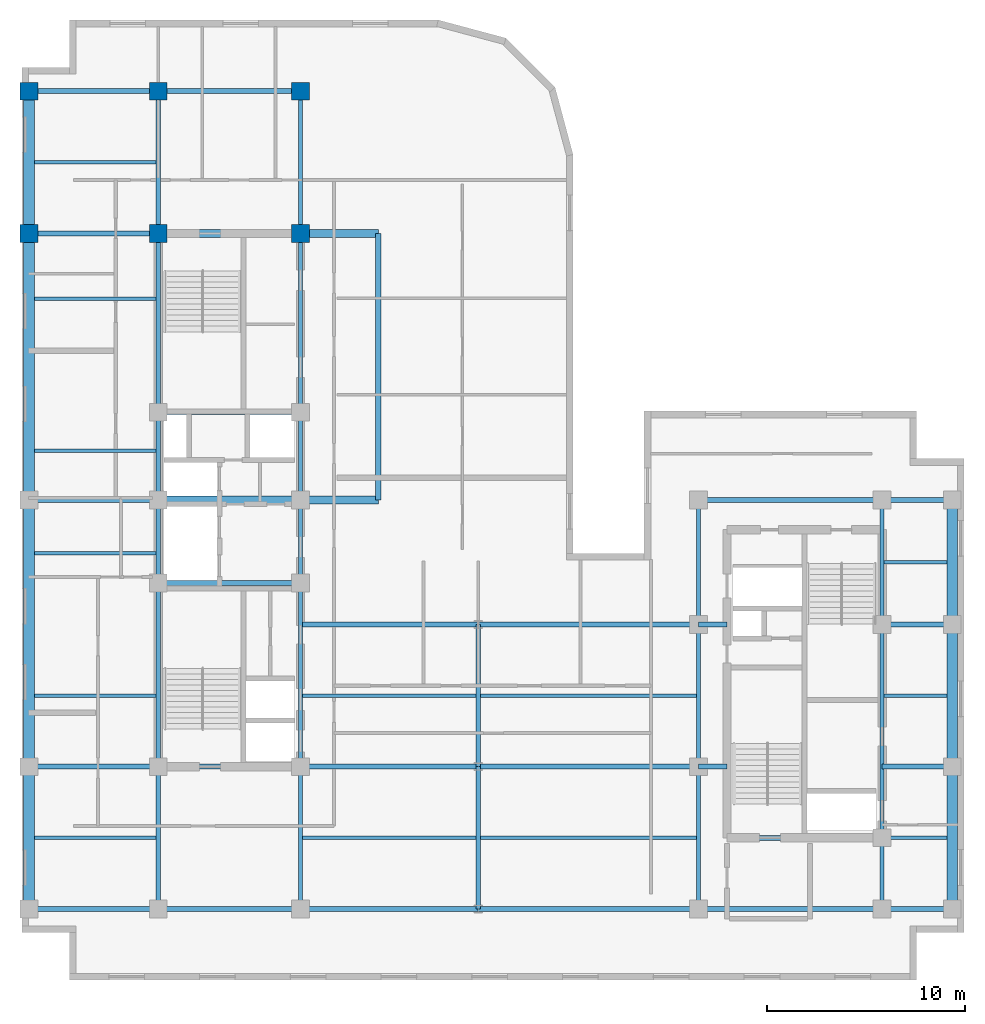
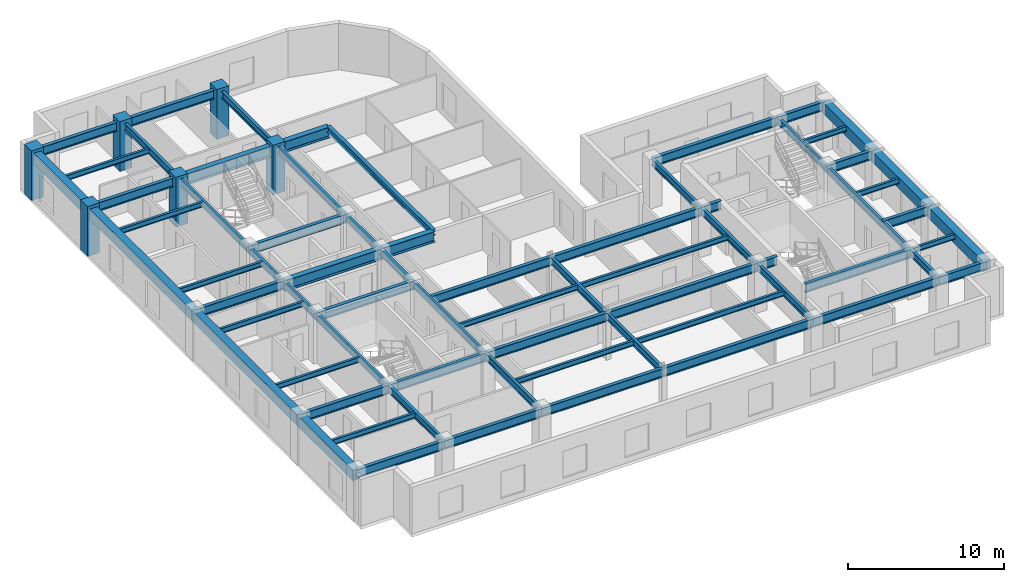
# One storey, part 2 of 10: 68 beams, 6 columns.
"""IFC4 building model written with IfcOpenShell, lengths in metres."""

from ifc_helpers import new_model, entity, si_unit, converted_unit, direction, frame, origin_with_axes, origin_2d_with_axis, place, context, subcontext, project, spatial, rectangle, i_section, extrude, material, material_profile, profile_set, type_object, element, save


model = new_model("IFC4")

# Units and contexts
model_context = context("Model", 3, precision=1e-05, world=origin_with_axes(), true_north=direction((0.0, 1.0)))
body_context = subcontext(model_context, "Body", "Model", "MODEL_VIEW")
ifc_project = project(units=[si_unit("LENGTHUNIT", "METRE"), si_unit("AREAUNIT", "SQUARE_METRE"), si_unit("VOLUMEUNIT", "CUBIC_METRE"), converted_unit("PLANEANGLEUNIT", "DEGREE", entity("IfcPlaneAngleMeasure", 0.017453292519943295), si_unit("PLANEANGLEUNIT", "RADIAN"), dimensions=[0, 0, 0, 0, 0, 0, 0]), si_unit("MASSUNIT", "GRAM", prefix="KILO"), si_unit("THERMODYNAMICTEMPERATUREUNIT", "KELVIN")], contexts=[model_context])

# Site, building, storey
site_placement = place(None, origin_with_axes())
site = spatial("IfcSite", under=ifc_project, at=site_placement, CompositionType="ELEMENT")
building_placement = place(site_placement, origin_with_axes())
building = spatial("IfcBuilding", under=site, at=building_placement, Name="Varnlund Millrace Tower", CompositionType="ELEMENT")
storey_placement = place(building_placement, frame((0.0, 0.0, 240.3), z_axis=(0.0, 0.0, 1.0), x_axis=(1.0, 0.0, 0.0)))
storey = spatial("IfcBuildingStorey", under=building, at=storey_placement, Name="L59", CompositionType="ELEMENT", Elevation=240.3)

# Columns
ifc_material_1 = material(Name="Concrete C70/85", Category="concrete")
ifc_material_profile_1 = material_profile(ifc_material_1, rectangle(XDim=0.9, YDim=0.9, at=origin_2d_with_axis()), Name="Concrete C70/85")
ifc_profile_set_1 = profile_set([ifc_material_profile_1], Name="Concrete C70/85")
column_type = type_object("IfcColumnType", Name="Type-Col-RC900-C70", PredefinedType="COLUMN", material=ifc_profile_set_1)
for number, where, z_axis, x_axis, name in (
    (1, (11.4, 37.8, 0.0), (0.0, 0.0, 1.0), (1.0, 0.0, 0.0), "Type-Col-RC900-C70"),
    (2, (11.4, 45.0, 0.0), (0.0, 0.0, 1.0), (1.0, 0.0, 0.0), "Type-Col-RC900-C70"),
    (3, (18.6, 37.8, 0.0), (0.0, 0.0, 1.0), (1.0, 0.0, 0.0), "Type-Col-RC900-C70"),
    (4, (18.6, 45.0, 0.0), (0.0, 0.0, 1.0), (1.0, 0.0, 0.0), "Type-Col-RC900-C70"),
    (5, (4.85, 37.8, 0.0), (0.0, 0.0, 1.0), (1.0, 0.0, 0.0), "Type-Col-RC900-C70"),
    (6, (4.85, 45.0, 0.0), (0.0, 0.0, 1.0), (1.0, 0.0, 0.0), "Type-Col-RC900-C70"),
):
    element("IfcColumn", number, at=place(storey_placement, frame(where, z_axis=z_axis, x_axis=x_axis)), inside=storey, type_object=column_type, Name=name, PredefinedType="COLUMN", context=body_context, shape_type="SweptSolid", body=[
        extrude(rectangle(XDim=0.9, YDim=0.9, at=origin_2d_with_axis()), origin_with_axes(), (0.0, 0.0, 1.0), 3.9),
    ])

# Beams
ifc_material_2 = material(Name="Steel ASTM A992 Grade 50", Category="steel")
ifc_material_profile_2 = material_profile(ifc_material_2, i_section(OverallWidth=0.28, OverallDepth=0.463, WebThickness=0.0108, FlangeThickness=0.0173, FilletRadius=0.015, at=origin_2d_with_axis()), Name="Steel ASTM A992 Grade 50")
ifc_profile_set_2 = profile_set([ifc_material_profile_2], Name="Steel ASTM A992 Grade 50")
beam_type_1 = type_object("IfcBeamType", Name="Type-Beam-W18X76", PredefinedType="BEAM", material=ifc_profile_set_2)
beam_1_placement = place(storey_placement, frame((22.55, 24.3, 3.4285), z_axis=(0.0, 1.0, 0.0), x_axis=(-1.0, 0.0, 0.0)))
element("IfcBeam", 7, at=beam_1_placement, inside=storey, type_object=beam_type_1, Name="Type-Beam-W18X76", PredefinedType="BEAM", context=body_context, shape_type="SweptSolid", body=[
    extrude(i_section(OverallWidth=0.28, OverallDepth=0.463, WebThickness=0.0108, FlangeThickness=0.0173, FilletRadius=0.015, at=origin_2d_with_axis()), origin_with_axes(), (0.0, 0.0, 1.0), 13.5),
])
ifc_material_profile_3 = material_profile(ifc_material_2, i_section(OverallWidth=0.214, OverallDepth=0.549, WebThickness=0.0147, FlangeThickness=0.0236, FilletRadius=0.015, at=origin_2d_with_axis()), Name="Steel ASTM A992 Grade 50")
ifc_profile_set_3 = profile_set([ifc_material_profile_3], Name="Steel ASTM A992 Grade 50")
beam_type_2 = type_object("IfcBeamType", Name="Type-Beam-W21X93", PredefinedType="BEAM", material=ifc_profile_set_3)
beam_2_placement = place(storey_placement, frame((11.4, 3.6, 3.3855), z_axis=(0.0, 1.0, 0.0), x_axis=(-1.0, 0.0, 0.0)))
element("IfcBeam", 8, at=beam_2_placement, inside=storey, type_object=beam_type_2, Name="Type-Beam-W21X93", PredefinedType="BEAM", context=body_context, shape_type="SweptSolid", body=[
    extrude(i_section(OverallWidth=0.214, OverallDepth=0.549, WebThickness=0.0147, FlangeThickness=0.0236, FilletRadius=0.015, at=origin_2d_with_axis()), origin_with_axes(), (0.0, 0.0, 1.0), 7.2),
])
beam_3_placement = place(storey_placement, frame((11.4, 10.8, 3.3855), z_axis=(0.0, 1.0, 0.0), x_axis=(-1.0, 0.0, 0.0)))
element("IfcBeam", 9, at=beam_3_placement, inside=storey, type_object=beam_type_2, Name="Type-Beam-W21X93", PredefinedType="BEAM", context=body_context, shape_type="SweptSolid", body=[
    extrude(i_section(OverallWidth=0.214, OverallDepth=0.549, WebThickness=0.0147, FlangeThickness=0.0236, FilletRadius=0.015, at=origin_2d_with_axis()), origin_with_axes(), (0.0, 0.0, 1.0), 9.3),
])
beam_4_placement = place(storey_placement, frame((11.4, 20.1, 3.3855), z_axis=(0.0, 1.0, 0.0), x_axis=(-1.0, 0.0, 0.0)))
element("IfcBeam", 10, at=beam_4_placement, inside=storey, type_object=beam_type_2, Name="Type-Beam-W21X93", PredefinedType="BEAM", context=body_context, shape_type="SweptSolid", body=[
    extrude(i_section(OverallWidth=0.214, OverallDepth=0.549, WebThickness=0.0147, FlangeThickness=0.0236, FilletRadius=0.015, at=origin_2d_with_axis()), origin_with_axes(), (0.0, 0.0, 1.0), 4.2),
])
beam_5_placement = place(storey_placement, frame((11.4, 24.3, 3.3855), z_axis=(0.0, 1.0, 0.0), x_axis=(-1.0, 0.0, 0.0)))
element("IfcBeam", 11, at=beam_5_placement, inside=storey, type_object=beam_type_2, Name="Type-Beam-W21X93", PredefinedType="BEAM", context=body_context, shape_type="SweptSolid", body=[
    extrude(i_section(OverallWidth=0.214, OverallDepth=0.549, WebThickness=0.0147, FlangeThickness=0.0236, FilletRadius=0.015, at=origin_2d_with_axis()), origin_with_axes(), (0.0, 0.0, 1.0), 4.45),
])
beam_6_placement = place(storey_placement, frame((11.4, 28.75, 3.3855), z_axis=(0.0, 1.0, 0.0), x_axis=(-1.0, 0.0, 0.0)))
element("IfcBeam", 12, at=beam_6_placement, inside=storey, type_object=beam_type_2, Name="Type-Beam-W21X93", PredefinedType="BEAM", context=body_context, shape_type="SweptSolid", body=[
    extrude(i_section(OverallWidth=0.214, OverallDepth=0.549, WebThickness=0.0147, FlangeThickness=0.0236, FilletRadius=0.015, at=origin_2d_with_axis()), origin_with_axes(), (0.0, 0.0, 1.0), 9.05),
])
for number, where, z_axis, x_axis, name in (
    (13, (11.4, 37.8, 3.3855), (0.0, 1.0, 0.0), (-1.0, 0.0, 0.0), "Type-Beam-W21X93"),
    (14, (18.6, 3.6, 3.3855), (0.0, 1.0, 0.0), (-1.0, 0.0, 0.0), "Type-Beam-W21X93"),
):
    element("IfcBeam", number, at=place(storey_placement, frame(where, z_axis=z_axis, x_axis=x_axis)), inside=storey, type_object=beam_type_2, Name=name, PredefinedType="BEAM", context=body_context, shape_type="SweptSolid", body=[
        extrude(i_section(OverallWidth=0.214, OverallDepth=0.549, WebThickness=0.0147, FlangeThickness=0.0236, FilletRadius=0.015, at=origin_2d_with_axis()), origin_with_axes(), (0.0, 0.0, 1.0), 7.2),
    ])
beam_7_placement = place(storey_placement, frame((18.6, 10.8, 3.3855), z_axis=(0.0, 1.0, 0.0), x_axis=(-1.0, 0.0, 0.0)))
element("IfcBeam", 15, at=beam_7_placement, inside=storey, type_object=beam_type_2, Name="Type-Beam-W21X93", PredefinedType="BEAM", context=body_context, shape_type="SweptSolid", body=[
    extrude(i_section(OverallWidth=0.214, OverallDepth=0.549, WebThickness=0.0147, FlangeThickness=0.0236, FilletRadius=0.015, at=origin_2d_with_axis()), origin_with_axes(), (0.0, 0.0, 1.0), 9.3),
])
beam_8_placement = place(storey_placement, frame((18.6, 20.1, 3.3855), z_axis=(0.0, 1.0, 0.0), x_axis=(-1.0, 0.0, 0.0)))
element("IfcBeam", 16, at=beam_8_placement, inside=storey, type_object=beam_type_2, Name="Type-Beam-W21X93", PredefinedType="BEAM", context=body_context, shape_type="SweptSolid", body=[
    extrude(i_section(OverallWidth=0.214, OverallDepth=0.549, WebThickness=0.0147, FlangeThickness=0.0236, FilletRadius=0.015, at=origin_2d_with_axis()), origin_with_axes(), (0.0, 0.0, 1.0), 4.2),
])
beam_9_placement = place(storey_placement, frame((18.6, 24.3, 3.3855), z_axis=(0.0, 1.0, 0.0), x_axis=(-1.0, 0.0, 0.0)))
element("IfcBeam", 17, at=beam_9_placement, inside=storey, type_object=beam_type_2, Name="Type-Beam-W21X93", PredefinedType="BEAM", context=body_context, shape_type="SweptSolid", body=[
    extrude(i_section(OverallWidth=0.214, OverallDepth=0.549, WebThickness=0.0147, FlangeThickness=0.0236, FilletRadius=0.015, at=origin_2d_with_axis()), origin_with_axes(), (0.0, 0.0, 1.0), 4.45),
])
beam_10_placement = place(storey_placement, frame((18.6, 28.75, 3.3855), z_axis=(0.0, 1.0, 0.0), x_axis=(-1.0, 0.0, 0.0)))
element("IfcBeam", 18, at=beam_10_placement, inside=storey, type_object=beam_type_2, Name="Type-Beam-W21X93", PredefinedType="BEAM", context=body_context, shape_type="SweptSolid", body=[
    extrude(i_section(OverallWidth=0.214, OverallDepth=0.549, WebThickness=0.0147, FlangeThickness=0.0236, FilletRadius=0.015, at=origin_2d_with_axis()), origin_with_axes(), (0.0, 0.0, 1.0), 9.05),
])
for number, where, z_axis, x_axis, name in (
    (19, (18.6, 37.8, 3.3855), (0.0, 1.0, 0.0), (-1.0, 0.0, 0.0), "Type-Beam-W21X93"),
    (20, (27.6, 3.6, 3.3855), (0.0, 1.0, 0.0), (-1.0, 0.0, 0.0), "Type-Beam-W21X93"),
    (21, (27.6, 10.8, 3.3855), (0.0, 1.0, 0.0), (-1.0, 0.0, 0.0), "Type-Beam-W21X93"),
    (22, (38.75, 3.6, 3.3855), (0.0, 1.0, 0.0), (-1.0, 0.0, 0.0), "Type-Beam-W21X93"),
    (23, (38.75, 10.8, 3.3855), (0.0, 1.0, 0.0), (-1.0, 0.0, 0.0), "Type-Beam-W21X93"),
):
    element("IfcBeam", number, at=place(storey_placement, frame(where, z_axis=z_axis, x_axis=x_axis)), inside=storey, type_object=beam_type_2, Name=name, PredefinedType="BEAM", context=body_context, shape_type="SweptSolid", body=[
        extrude(i_section(OverallWidth=0.214, OverallDepth=0.549, WebThickness=0.0147, FlangeThickness=0.0236, FilletRadius=0.015, at=origin_2d_with_axis()), origin_with_axes(), (0.0, 0.0, 1.0), 7.2),
    ])
beam_11_placement = place(storey_placement, frame((38.75, 18.0, 3.3855), z_axis=(0.0, 1.0, 0.0), x_axis=(-1.0, 0.0, 0.0)))
element("IfcBeam", 24, at=beam_11_placement, inside=storey, type_object=beam_type_2, Name="Type-Beam-W21X93", PredefinedType="BEAM", context=body_context, shape_type="SweptSolid", body=[
    extrude(i_section(OverallWidth=0.214, OverallDepth=0.549, WebThickness=0.0147, FlangeThickness=0.0236, FilletRadius=0.015, at=origin_2d_with_axis()), origin_with_axes(), (0.0, 0.0, 1.0), 6.3),
])
beam_12_placement = place(storey_placement, frame((48.05, 3.6, 3.3855), z_axis=(0.0, 1.0, 0.0), x_axis=(-1.0, 0.0, 0.0)))
element("IfcBeam", 25, at=beam_12_placement, inside=storey, type_object=beam_type_2, Name="Type-Beam-W21X93", PredefinedType="BEAM", context=body_context, shape_type="SweptSolid", body=[
    extrude(i_section(OverallWidth=0.214, OverallDepth=0.549, WebThickness=0.0147, FlangeThickness=0.0236, FilletRadius=0.015, at=origin_2d_with_axis()), origin_with_axes(), (0.0, 0.0, 1.0), 3.6),
])
beam_13_placement = place(storey_placement, frame((48.05, 7.2, 3.3855), z_axis=(0.0, 1.0, 0.0), x_axis=(-1.0, 0.0, 0.0)))
element("IfcBeam", 26, at=beam_13_placement, inside=storey, type_object=beam_type_2, Name="Type-Beam-W21X93", PredefinedType="BEAM", context=body_context, shape_type="SweptSolid", body=[
    extrude(i_section(OverallWidth=0.214, OverallDepth=0.549, WebThickness=0.0147, FlangeThickness=0.0236, FilletRadius=0.015, at=origin_2d_with_axis()), origin_with_axes(), (0.0, 0.0, 1.0), 10.8),
])
beam_14_placement = place(storey_placement, frame((48.05, 18.0, 3.3855), z_axis=(0.0, 1.0, 0.0), x_axis=(-1.0, 0.0, 0.0)))
element("IfcBeam", 27, at=beam_14_placement, inside=storey, type_object=beam_type_2, Name="Type-Beam-W21X93", PredefinedType="BEAM", context=body_context, shape_type="SweptSolid", body=[
    extrude(i_section(OverallWidth=0.214, OverallDepth=0.549, WebThickness=0.0147, FlangeThickness=0.0236, FilletRadius=0.015, at=origin_2d_with_axis()), origin_with_axes(), (0.0, 0.0, 1.0), 6.3),
])
ifc_material_profile_4 = material_profile(ifc_material_2, i_section(OverallWidth=0.256, OverallDepth=0.693, WebThickness=0.0145, FlangeThickness=0.0236, FilletRadius=0.018, at=origin_2d_with_axis()), Name="Steel ASTM A992 Grade 50")
ifc_profile_set_4 = profile_set([ifc_material_profile_4], Name="Steel ASTM A992 Grade 50")
beam_type_3 = type_object("IfcBeamType", Name="Type-Girder-W27X114", PredefinedType="USERDEFINED", material=ifc_profile_set_4)
beam_15_placement = place(storey_placement, frame((4.85, 3.6, 3.3135), z_axis=(1.0, 0.0, 0.0), x_axis=(0.0, 1.0, 0.0)))
element("IfcBeam", 28, at=beam_15_placement, inside=storey, type_object=beam_type_3, Name="Type-Girder-W27X114", ObjectType="GIRDER", PredefinedType="USERDEFINED", context=body_context, shape_type="SweptSolid", body=[
    extrude(i_section(OverallWidth=0.256, OverallDepth=0.693, WebThickness=0.0145, FlangeThickness=0.0236, FilletRadius=0.018, at=origin_2d_with_axis()), origin_with_axes(), (0.0, 0.0, 1.0), 6.55),
])
beam_16_placement = place(storey_placement, frame((11.4, 3.6, 3.3135), z_axis=(1.0, 0.0, 0.0), x_axis=(0.0, 1.0, 0.0)))
element("IfcBeam", 29, at=beam_16_placement, inside=storey, type_object=beam_type_3, Name="Type-Girder-W27X114", ObjectType="GIRDER", PredefinedType="USERDEFINED", context=body_context, shape_type="SweptSolid", body=[
    extrude(i_section(OverallWidth=0.256, OverallDepth=0.693, WebThickness=0.0145, FlangeThickness=0.0236, FilletRadius=0.018, at=origin_2d_with_axis()), origin_with_axes(), (0.0, 0.0, 1.0), 7.2),
])
beam_17_placement = place(storey_placement, frame((18.6, 3.6, 3.3135), z_axis=(1.0, 0.0, 0.0), x_axis=(0.0, 1.0, 0.0)))
element("IfcBeam", 30, at=beam_17_placement, inside=storey, type_object=beam_type_3, Name="Type-Girder-W27X114", ObjectType="GIRDER", PredefinedType="USERDEFINED", context=body_context, shape_type="SweptSolid", body=[
    extrude(i_section(OverallWidth=0.256, OverallDepth=0.693, WebThickness=0.0145, FlangeThickness=0.0236, FilletRadius=0.018, at=origin_2d_with_axis()), origin_with_axes(), (0.0, 0.0, 1.0), 9.0),
])
beam_18_placement = place(storey_placement, frame((27.6, 3.6, 3.3135), z_axis=(1.0, 0.0, 0.0), x_axis=(0.0, 1.0, 0.0)))
element("IfcBeam", 31, at=beam_18_placement, inside=storey, type_object=beam_type_3, Name="Type-Girder-W27X114", ObjectType="GIRDER", PredefinedType="USERDEFINED", context=body_context, shape_type="SweptSolid", body=[
    extrude(i_section(OverallWidth=0.256, OverallDepth=0.693, WebThickness=0.0145, FlangeThickness=0.0236, FilletRadius=0.018, at=origin_2d_with_axis()), origin_with_axes(), (0.0, 0.0, 1.0), 11.15),
])
beam_19_placement = place(storey_placement, frame((38.75, 3.6, 3.3135), z_axis=(1.0, 0.0, 0.0), x_axis=(0.0, 1.0, 0.0)))
element("IfcBeam", 32, at=beam_19_placement, inside=storey, type_object=beam_type_3, Name="Type-Girder-W27X114", ObjectType="GIRDER", PredefinedType="USERDEFINED", context=body_context, shape_type="SweptSolid", body=[
    extrude(i_section(OverallWidth=0.256, OverallDepth=0.693, WebThickness=0.0145, FlangeThickness=0.0236, FilletRadius=0.018, at=origin_2d_with_axis()), origin_with_axes(), (0.0, 0.0, 1.0), 9.3),
])
beam_20_placement = place(storey_placement, frame((48.05, 3.6, 3.3135), z_axis=(1.0, 0.0, 0.0), x_axis=(0.0, 1.0, 0.0)))
element("IfcBeam", 33, at=beam_20_placement, inside=storey, type_object=beam_type_3, Name="Type-Girder-W27X114", ObjectType="GIRDER", PredefinedType="USERDEFINED", context=body_context, shape_type="SweptSolid", body=[
    extrude(i_section(OverallWidth=0.256, OverallDepth=0.693, WebThickness=0.0145, FlangeThickness=0.0236, FilletRadius=0.018, at=origin_2d_with_axis()), origin_with_axes(), (0.0, 0.0, 1.0), 3.55),
])
beam_21_placement = place(storey_placement, frame((40.2, 7.2, 3.3135), z_axis=(1.0, 0.0, 0.0), x_axis=(0.0, 1.0, 0.0)))
element("IfcBeam", 34, at=beam_21_placement, inside=storey, type_object=beam_type_3, Name="Type-Girder-W27X114", ObjectType="GIRDER", PredefinedType="USERDEFINED", context=body_context, shape_type="SweptSolid", body=[
    extrude(i_section(OverallWidth=0.256, OverallDepth=0.693, WebThickness=0.0145, FlangeThickness=0.0236, FilletRadius=0.018, at=origin_2d_with_axis()), origin_with_axes(), (0.0, 0.0, 1.0), 7.85),
])
beam_22_placement = place(storey_placement, frame((4.85, 10.8, 3.3135), z_axis=(1.0, 0.0, 0.0), x_axis=(0.0, 1.0, 0.0)))
element("IfcBeam", 35, at=beam_22_placement, inside=storey, type_object=beam_type_3, Name="Type-Girder-W27X114", ObjectType="GIRDER", PredefinedType="USERDEFINED", context=body_context, shape_type="SweptSolid", body=[
    extrude(i_section(OverallWidth=0.256, OverallDepth=0.693, WebThickness=0.0145, FlangeThickness=0.0236, FilletRadius=0.018, at=origin_2d_with_axis()), origin_with_axes(), (0.0, 0.0, 1.0), 6.55),
])
beam_23_placement = place(storey_placement, frame((11.4, 10.8, 3.3135), z_axis=(1.0, 0.0, 0.0), x_axis=(0.0, 1.0, 0.0)))
element("IfcBeam", 36, at=beam_23_placement, inside=storey, type_object=beam_type_3, Name="Type-Girder-W27X114", ObjectType="GIRDER", PredefinedType="USERDEFINED", context=body_context, shape_type="SweptSolid", body=[
    extrude(i_section(OverallWidth=0.256, OverallDepth=0.693, WebThickness=0.0145, FlangeThickness=0.0236, FilletRadius=0.018, at=origin_2d_with_axis()), origin_with_axes(), (0.0, 0.0, 1.0), 7.2),
])
beam_24_placement = place(storey_placement, frame((18.6, 10.8, 3.3135), z_axis=(1.0, 0.0, 0.0), x_axis=(0.0, 1.0, 0.0)))
element("IfcBeam", 37, at=beam_24_placement, inside=storey, type_object=beam_type_3, Name="Type-Girder-W27X114", ObjectType="GIRDER", PredefinedType="USERDEFINED", context=body_context, shape_type="SweptSolid", body=[
    extrude(i_section(OverallWidth=0.256, OverallDepth=0.693, WebThickness=0.0145, FlangeThickness=0.0236, FilletRadius=0.018, at=origin_2d_with_axis()), origin_with_axes(), (0.0, 0.0, 1.0), 9.0),
])
beam_25_placement = place(storey_placement, frame((27.6, 10.8, 3.3135), z_axis=(1.0, 0.0, 0.0), x_axis=(0.0, 1.0, 0.0)))
element("IfcBeam", 38, at=beam_25_placement, inside=storey, type_object=beam_type_3, Name="Type-Girder-W27X114", ObjectType="GIRDER", PredefinedType="USERDEFINED", context=body_context, shape_type="SweptSolid", body=[
    extrude(i_section(OverallWidth=0.256, OverallDepth=0.693, WebThickness=0.0145, FlangeThickness=0.0236, FilletRadius=0.018, at=origin_2d_with_axis()), origin_with_axes(), (0.0, 0.0, 1.0), 11.15),
])
beam_26_placement = place(storey_placement, frame((38.75, 10.8, 3.3135), z_axis=(1.0, 0.0, 0.0), x_axis=(0.0, 1.0, 0.0)))
element("IfcBeam", 39, at=beam_26_placement, inside=storey, type_object=beam_type_3, Name="Type-Girder-W27X114", ObjectType="GIRDER", PredefinedType="USERDEFINED", context=body_context, shape_type="SweptSolid", body=[
    extrude(i_section(OverallWidth=0.256, OverallDepth=0.693, WebThickness=0.0145, FlangeThickness=0.0236, FilletRadius=0.018, at=origin_2d_with_axis()), origin_with_axes(), (0.0, 0.0, 1.0), 1.45),
])
beam_27_placement = place(storey_placement, frame((48.05, 10.8, 3.3135), z_axis=(1.0, 0.0, 0.0), x_axis=(0.0, 1.0, 0.0)))
element("IfcBeam", 40, at=beam_27_placement, inside=storey, type_object=beam_type_3, Name="Type-Girder-W27X114", ObjectType="GIRDER", PredefinedType="USERDEFINED", context=body_context, shape_type="SweptSolid", body=[
    extrude(i_section(OverallWidth=0.256, OverallDepth=0.693, WebThickness=0.0145, FlangeThickness=0.0236, FilletRadius=0.018, at=origin_2d_with_axis()), origin_with_axes(), (0.0, 0.0, 1.0), 3.55),
])
beam_28_placement = place(storey_placement, frame((18.6, 18.0, 3.3135), z_axis=(1.0, 0.0, 0.0), x_axis=(0.0, 1.0, 0.0)))
element("IfcBeam", 41, at=beam_28_placement, inside=storey, type_object=beam_type_3, Name="Type-Girder-W27X114", ObjectType="GIRDER", PredefinedType="USERDEFINED", context=body_context, shape_type="SweptSolid", body=[
    extrude(i_section(OverallWidth=0.256, OverallDepth=0.693, WebThickness=0.0145, FlangeThickness=0.0236, FilletRadius=0.018, at=origin_2d_with_axis()), origin_with_axes(), (0.0, 0.0, 1.0), 9.0),
])
beam_29_placement = place(storey_placement, frame((27.6, 18.0, 3.3135), z_axis=(1.0, 0.0, 0.0), x_axis=(0.0, 1.0, 0.0)))
element("IfcBeam", 42, at=beam_29_placement, inside=storey, type_object=beam_type_3, Name="Type-Girder-W27X114", ObjectType="GIRDER", PredefinedType="USERDEFINED", context=body_context, shape_type="SweptSolid", body=[
    extrude(i_section(OverallWidth=0.256, OverallDepth=0.693, WebThickness=0.0145, FlangeThickness=0.0236, FilletRadius=0.018, at=origin_2d_with_axis()), origin_with_axes(), (0.0, 0.0, 1.0), 11.15),
])
beam_30_placement = place(storey_placement, frame((38.75, 18.0, 3.3135), z_axis=(1.0, 0.0, 0.0), x_axis=(0.0, 1.0, 0.0)))
element("IfcBeam", 43, at=beam_30_placement, inside=storey, type_object=beam_type_3, Name="Type-Girder-W27X114", ObjectType="GIRDER", PredefinedType="USERDEFINED", context=body_context, shape_type="SweptSolid", body=[
    extrude(i_section(OverallWidth=0.256, OverallDepth=0.693, WebThickness=0.0145, FlangeThickness=0.0236, FilletRadius=0.018, at=origin_2d_with_axis()), origin_with_axes(), (0.0, 0.0, 1.0), 1.45),
])
beam_31_placement = place(storey_placement, frame((48.05, 18.0, 3.3135), z_axis=(1.0, 0.0, 0.0), x_axis=(0.0, 1.0, 0.0)))
element("IfcBeam", 44, at=beam_31_placement, inside=storey, type_object=beam_type_3, Name="Type-Girder-W27X114", ObjectType="GIRDER", PredefinedType="USERDEFINED", context=body_context, shape_type="SweptSolid", body=[
    extrude(i_section(OverallWidth=0.256, OverallDepth=0.693, WebThickness=0.0145, FlangeThickness=0.0236, FilletRadius=0.018, at=origin_2d_with_axis()), origin_with_axes(), (0.0, 0.0, 1.0), 3.55),
])
beam_32_placement = place(storey_placement, frame((11.4, 20.1, 3.3135), z_axis=(1.0, 0.0, 0.0), x_axis=(0.0, 1.0, 0.0)))
element("IfcBeam", 45, at=beam_32_placement, inside=storey, type_object=beam_type_3, Name="Type-Girder-W27X114", ObjectType="GIRDER", PredefinedType="USERDEFINED", context=body_context, shape_type="SweptSolid", body=[
    extrude(i_section(OverallWidth=0.256, OverallDepth=0.693, WebThickness=0.0145, FlangeThickness=0.0236, FilletRadius=0.018, at=origin_2d_with_axis()), origin_with_axes(), (0.0, 0.0, 1.0), 7.2),
])
beam_33_placement = place(storey_placement, frame((4.85, 24.3, 3.3135), z_axis=(1.0, 0.0, 0.0), x_axis=(0.0, 1.0, 0.0)))
element("IfcBeam", 46, at=beam_33_placement, inside=storey, type_object=beam_type_3, Name="Type-Girder-W27X114", ObjectType="GIRDER", PredefinedType="USERDEFINED", context=body_context, shape_type="SweptSolid", body=[
    extrude(i_section(OverallWidth=0.256, OverallDepth=0.693, WebThickness=0.0145, FlangeThickness=0.0236, FilletRadius=0.018, at=origin_2d_with_axis()), origin_with_axes(), (0.0, 0.0, 1.0), 6.55),
])
beam_34_placement = place(storey_placement, frame((38.75, 24.3, 3.3135), z_axis=(1.0, 0.0, 0.0), x_axis=(0.0, 1.0, 0.0)))
element("IfcBeam", 47, at=beam_34_placement, inside=storey, type_object=beam_type_3, Name="Type-Girder-W27X114", ObjectType="GIRDER", PredefinedType="USERDEFINED", context=body_context, shape_type="SweptSolid", body=[
    extrude(i_section(OverallWidth=0.256, OverallDepth=0.693, WebThickness=0.0145, FlangeThickness=0.0236, FilletRadius=0.018, at=origin_2d_with_axis()), origin_with_axes(), (0.0, 0.0, 1.0), 9.3),
])
beam_35_placement = place(storey_placement, frame((48.05, 24.3, 3.3135), z_axis=(1.0, 0.0, 0.0), x_axis=(0.0, 1.0, 0.0)))
element("IfcBeam", 48, at=beam_35_placement, inside=storey, type_object=beam_type_3, Name="Type-Girder-W27X114", ObjectType="GIRDER", PredefinedType="USERDEFINED", context=body_context, shape_type="SweptSolid", body=[
    extrude(i_section(OverallWidth=0.256, OverallDepth=0.693, WebThickness=0.0145, FlangeThickness=0.0236, FilletRadius=0.018, at=origin_2d_with_axis()), origin_with_axes(), (0.0, 0.0, 1.0), 3.55),
])
beam_36_placement = place(storey_placement, frame((11.4, 28.75, 3.3135), z_axis=(1.0, 0.0, 0.0), x_axis=(0.0, 1.0, 0.0)))
element("IfcBeam", 49, at=beam_36_placement, inside=storey, type_object=beam_type_3, Name="Type-Girder-W27X114", ObjectType="GIRDER", PredefinedType="USERDEFINED", context=body_context, shape_type="SweptSolid", body=[
    extrude(i_section(OverallWidth=0.256, OverallDepth=0.693, WebThickness=0.0145, FlangeThickness=0.0236, FilletRadius=0.018, at=origin_2d_with_axis()), origin_with_axes(), (0.0, 0.0, 1.0), 7.2),
])
for number, where, z_axis, x_axis, name in (
    (50, (4.85, 37.8, 3.3135), (1.0, 0.0, 0.0), (0.0, 1.0, 0.0), "Type-Girder-W27X114"),
    (51, (4.85, 45.0, 3.3135), (1.0, 0.0, 0.0), (0.0, 1.0, 0.0), "Type-Girder-W27X114"),
):
    element("IfcBeam", number, at=place(storey_placement, frame(where, z_axis=z_axis, x_axis=x_axis)), inside=storey, type_object=beam_type_3, Name=name, ObjectType="GIRDER", PredefinedType="USERDEFINED", context=body_context, shape_type="SweptSolid", body=[
        extrude(i_section(OverallWidth=0.256, OverallDepth=0.693, WebThickness=0.0145, FlangeThickness=0.0236, FilletRadius=0.018, at=origin_2d_with_axis()), origin_with_axes(), (0.0, 0.0, 1.0), 6.55),
    ])
beam_37_placement = place(storey_placement, frame((11.4, 45.0, 3.3135), z_axis=(1.0, 0.0, 0.0), x_axis=(0.0, 1.0, 0.0)))
element("IfcBeam", 52, at=beam_37_placement, inside=storey, type_object=beam_type_3, Name="Type-Girder-W27X114", ObjectType="GIRDER", PredefinedType="USERDEFINED", context=body_context, shape_type="SweptSolid", body=[
    extrude(i_section(OverallWidth=0.256, OverallDepth=0.693, WebThickness=0.0145, FlangeThickness=0.0236, FilletRadius=0.018, at=origin_2d_with_axis()), origin_with_axes(), (0.0, 0.0, 1.0), 7.2),
])
ifc_material_profile_5 = material_profile(ifc_material_2, i_section(OverallWidth=0.399, OverallDepth=0.855, WebThickness=0.0182, FlangeThickness=0.0292, FilletRadius=0.022, at=origin_2d_with_axis()), Name="Steel ASTM A992 Grade 50")
ifc_profile_set_5 = profile_set([ifc_material_profile_5], Name="Steel ASTM A992 Grade 50")
beam_type_4 = type_object("IfcBeamType", Name="Type-Girder-W33X201", PredefinedType="USERDEFINED", material=ifc_profile_set_5)
for number, where, z_axis, x_axis, name in (
    (53, (11.4, 24.3, 3.2325), (1.0, 0.0, 0.0), (0.0, 1.0, 0.0), "Type-Girder-W33X201"),
    (54, (11.4, 37.8, 3.2325), (1.0, 0.0, 0.0), (0.0, 1.0, 0.0), "Type-Girder-W33X201"),
):
    element("IfcBeam", number, at=place(storey_placement, frame(where, z_axis=z_axis, x_axis=x_axis)), inside=storey, type_object=beam_type_4, Name=name, ObjectType="GIRDER", PredefinedType="USERDEFINED", context=body_context, shape_type="SweptSolid", body=[
        extrude(i_section(OverallWidth=0.399, OverallDepth=0.855, WebThickness=0.0182, FlangeThickness=0.0292, FilletRadius=0.022, at=origin_2d_with_axis()), origin_with_axes(), (0.0, 0.0, 1.0), 11.15),
    ])
ifc_material_profile_6 = material_profile(ifc_material_2, i_section(OverallWidth=0.178, OverallDepth=0.403, WebThickness=0.0075, FlangeThickness=0.0109, FilletRadius=0.011, at=origin_2d_with_axis()), Name="Steel ASTM A992 Grade 50")
ifc_profile_set_6 = profile_set([ifc_material_profile_6], Name="Steel ASTM A992 Grade 50")
beam_type_5 = type_object("IfcBeamType", Name="Type-Joist-W16X36", PredefinedType="JOIST", material=ifc_profile_set_6)
for number, where, z_axis, x_axis, name in (
    (55, (5.125, 7.2, 3.4585), (1.0, 0.0, 0.0), (0.0, 1.0, 0.0), "Type-Joist-W16X36"),
    (56, (5.125, 14.4, 3.4585), (1.0, 0.0, 0.0), (0.0, 1.0, 0.0), "Type-Joist-W16X36"),
    (57, (5.125, 21.6, 3.4585), (1.0, 0.0, 0.0), (0.0, 1.0, 0.0), "Type-Joist-W16X36"),
    (58, (5.125, 26.8, 3.4585), (1.0, 0.0, 0.0), (0.0, 1.0, 0.0), "Type-Joist-W16X36"),
    (59, (5.125, 34.5, 3.4585), (1.0, 0.0, 0.0), (0.0, 1.0, 0.0), "Type-Joist-W16X36"),
    (60, (5.125, 41.4, 3.4585), (1.0, 0.0, 0.0), (0.0, 1.0, 0.0), "Type-Joist-W16X36"),
):
    element("IfcBeam", number, at=place(storey_placement, frame(where, z_axis=z_axis, x_axis=x_axis)), inside=storey, type_object=beam_type_5, Name=name, PredefinedType="JOIST", context=body_context, shape_type="SweptSolid", body=[
        extrude(i_section(OverallWidth=0.178, OverallDepth=0.403, WebThickness=0.0075, FlangeThickness=0.0109, FilletRadius=0.011, at=origin_2d_with_axis()), origin_with_axes(), (0.0, 0.0, 1.0), 6.168),
    ])
for number, where, z_axis, x_axis, name in (
    (61, (48.157, 7.2, 3.4585), (1.0, 0.0, 0.0), (0.0, 1.0, 0.0), "Type-Joist-W16X36"),
    (62, (48.157, 14.4, 3.4585), (1.0, 0.0, 0.0), (0.0, 1.0, 0.0), "Type-Joist-W16X36"),
    (63, (48.157, 21.15, 3.4585), (1.0, 0.0, 0.0), (0.0, 1.0, 0.0), "Type-Joist-W16X36"),
):
    element("IfcBeam", number, at=place(storey_placement, frame(where, z_axis=z_axis, x_axis=x_axis)), inside=storey, type_object=beam_type_5, Name=name, PredefinedType="JOIST", context=body_context, shape_type="SweptSolid", body=[
        extrude(i_section(OverallWidth=0.178, OverallDepth=0.403, WebThickness=0.0075, FlangeThickness=0.0109, FilletRadius=0.011, at=origin_2d_with_axis()), origin_with_axes(), (0.0, 0.0, 1.0), 3.168),
    ])
for number, where, z_axis, x_axis, name in (
    (64, (18.707, 7.2, 3.4585), (1.0, 0.0, 0.0), (0.0, 1.0, 0.0), "Type-Joist-W16X36"),
    (65, (18.707, 14.4, 3.4585), (1.0, 0.0, 0.0), (0.0, 1.0, 0.0), "Type-Joist-W16X36"),
):
    element("IfcBeam", number, at=place(storey_placement, frame(where, z_axis=z_axis, x_axis=x_axis)), inside=storey, type_object=beam_type_5, Name=name, PredefinedType="JOIST", context=body_context, shape_type="SweptSolid", body=[
        extrude(i_section(OverallWidth=0.178, OverallDepth=0.403, WebThickness=0.0075, FlangeThickness=0.0109, FilletRadius=0.011, at=origin_2d_with_axis()), origin_with_axes(), (0.0, 0.0, 1.0), 8.786),
    ])
for number, where, z_axis, x_axis, name in (
    (66, (27.707, 7.2, 3.4585), (1.0, 0.0, 0.0), (0.0, 1.0, 0.0), "Type-Joist-W16X36"),
    (67, (27.707, 14.4, 3.4585), (1.0, 0.0, 0.0), (0.0, 1.0, 0.0), "Type-Joist-W16X36"),
):
    element("IfcBeam", number, at=place(storey_placement, frame(where, z_axis=z_axis, x_axis=x_axis)), inside=storey, type_object=beam_type_5, Name=name, PredefinedType="JOIST", context=body_context, shape_type="SweptSolid", body=[
        extrude(i_section(OverallWidth=0.178, OverallDepth=0.403, WebThickness=0.0075, FlangeThickness=0.0109, FilletRadius=0.011, at=origin_2d_with_axis()), origin_with_axes(), (0.0, 0.0, 1.0), 10.936),
    ])
ifc_material_3 = material(Name="Concrete C60/75", Category="concrete")
ifc_material_profile_7 = material_profile(ifc_material_3, rectangle(XDim=0.55, YDim=0.85, at=origin_2d_with_axis()), Name="Concrete C60/75")
ifc_profile_set_7 = profile_set([ifc_material_profile_7], Name="Concrete C60/75")
beam_type_6 = type_object("IfcBeamType", Name="Type-Spandrel-RC550X850", PredefinedType="SPANDREL", material=ifc_profile_set_7)
beam_38_placement = place(storey_placement, frame((4.85, 3.6, 3.235), z_axis=(0.0, 1.0, 0.0), x_axis=(-1.0, 0.0, 0.0)))
element("IfcBeam", 68, at=beam_38_placement, inside=storey, type_object=beam_type_6, Name="Type-Spandrel-RC550X850", PredefinedType="SPANDREL", context=body_context, shape_type="SweptSolid", body=[
    extrude(rectangle(XDim=0.55, YDim=0.85, at=origin_2d_with_axis()), origin_with_axes(), (0.0, 0.0, 1.0), 7.2),
])
for number, where, z_axis, x_axis, name in (
    (69, (4.85, 10.8, 3.235), (0.0, 1.0, 0.0), (-1.0, 0.0, 0.0), "Type-Spandrel-RC550X850"),
    (70, (4.85, 24.3, 3.235), (0.0, 1.0, 0.0), (-1.0, 0.0, 0.0), "Type-Spandrel-RC550X850"),
):
    element("IfcBeam", number, at=place(storey_placement, frame(where, z_axis=z_axis, x_axis=x_axis)), inside=storey, type_object=beam_type_6, Name=name, PredefinedType="SPANDREL", context=body_context, shape_type="SweptSolid", body=[
        extrude(rectangle(XDim=0.55, YDim=0.85, at=origin_2d_with_axis()), origin_with_axes(), (0.0, 0.0, 1.0), 13.5),
    ])
for number, where, z_axis, x_axis, name in (
    (71, (4.85, 37.8, 3.235), (0.0, 1.0, 0.0), (-1.0, 0.0, 0.0), "Type-Spandrel-RC550X850"),
    (72, (51.6, 3.6, 3.235), (0.0, 1.0, 0.0), (-1.0, 0.0, 0.0), "Type-Spandrel-RC550X850"),
    (73, (51.6, 10.8, 3.235), (0.0, 1.0, 0.0), (-1.0, 0.0, 0.0), "Type-Spandrel-RC550X850"),
):
    element("IfcBeam", number, at=place(storey_placement, frame(where, z_axis=z_axis, x_axis=x_axis)), inside=storey, type_object=beam_type_6, Name=name, PredefinedType="SPANDREL", context=body_context, shape_type="SweptSolid", body=[
        extrude(rectangle(XDim=0.55, YDim=0.85, at=origin_2d_with_axis()), origin_with_axes(), (0.0, 0.0, 1.0), 7.2),
    ])
beam_39_placement = place(storey_placement, frame((51.6, 18.0, 3.235), z_axis=(0.0, 1.0, 0.0), x_axis=(-1.0, 0.0, 0.0)))
element("IfcBeam", 74, at=beam_39_placement, inside=storey, type_object=beam_type_6, Name="Type-Spandrel-RC550X850", PredefinedType="SPANDREL", context=body_context, shape_type="SweptSolid", body=[
    extrude(rectangle(XDim=0.55, YDim=0.85, at=origin_2d_with_axis()), origin_with_axes(), (0.0, 0.0, 1.0), 6.3),
])

save(model, "model.ifc")
